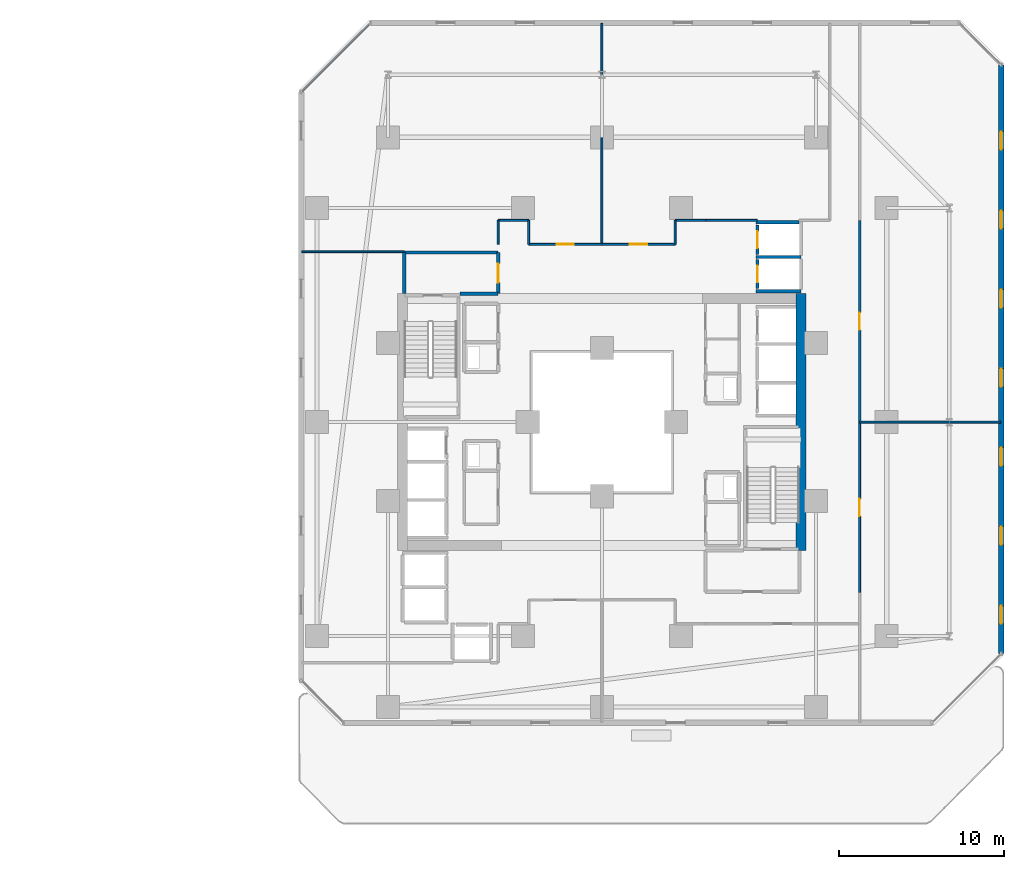
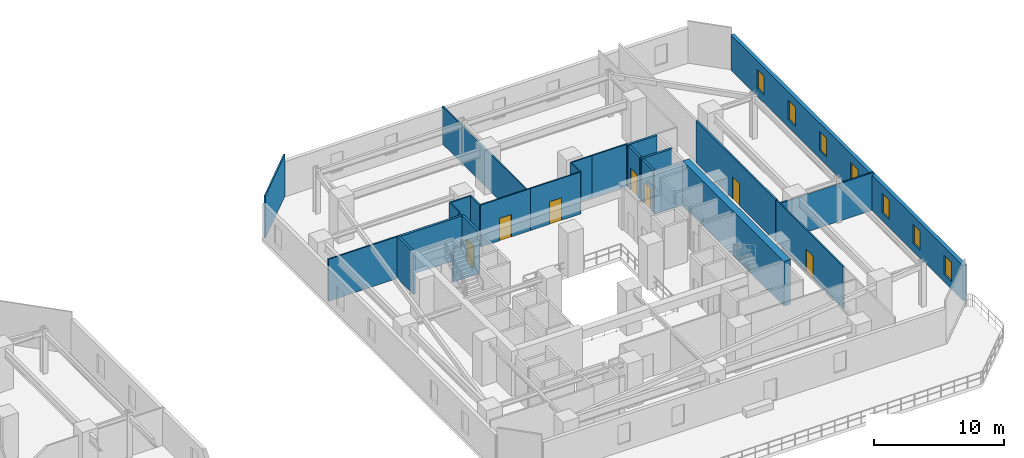
# One storey, part 25 of 33: 25 walls, 7 doors, 7 windows, 14 openings.
"""IFC4 building model written with IfcOpenShell, lengths in metres."""

from ifc_helpers import new_model, si_unit, direction, frame, frame_2d, origin, place, context, subcontext, project, spatial, rectangle, extrude, material, layer, layer_set, type_object, element, fill, save


model = new_model("IFC4")

# Units and contexts
model_context = context("Model", 3, precision=1e-05, world=origin(), true_north=direction((0.0, 1.0)))
body_context = subcontext(model_context, "Body", "Model", "MODEL_VIEW")
ifc_project = project(units=[si_unit("LENGTHUNIT", "METRE"), si_unit("AREAUNIT", "SQUARE_METRE"), si_unit("VOLUMEUNIT", "CUBIC_METRE"), si_unit("PLANEANGLEUNIT", "RADIAN"), si_unit("MASSUNIT", "GRAM", prefix="KILO")], contexts=[model_context])

# Site, building, storey
site_placement = place(None, origin())
site = spatial("IfcSite", under=ifc_project, at=site_placement, CompositionType="ELEMENT")
building_placement = place(site_placement, origin())
building = spatial("IfcBuilding", under=site, at=building_placement, Name="Thornwick Lancets Civic Towers", CompositionType="ELEMENT")
storey_placement = place(building_placement, frame((0.0, 0.0, 49.5)))
storey = spatial("IfcBuildingStorey", under=building, at=storey_placement, Name="L12", CompositionType="ELEMENT", Elevation=49.5)

# Wall, opening, door
ifc_material_1 = material(Name="Concrete blockwork C40/50", Category="masonry")
ifc_layer_1 = layer(ifc_material_1, 0.199951171875, Name="Concrete blockwork C40/50")
ifc_layer_set_1 = layer_set([ifc_layer_1], Name="Concrete blockwork C40/50")
wall_type_1 = type_object("IfcWallType", Name="WALL_COMP_200", PredefinedType="STANDARD", material=ifc_layer_set_1)
wall_1_placement = place(storey_placement, frame((97.949951171875, 36.8701171875, 0.0), z_axis=(0.0, 0.0, 1.0), x_axis=(0.0, -1.0, 0.0)))
wall_1 = element("IfcWall", 1, at=wall_1_placement, inside=storey, type_object=wall_type_1, Name="L12 Hoistway Front Wall PL-BL2", PredefinedType="STANDARD", context=body_context, shape_type="SweptSolid", body=[
    extrude(rectangle(XDim=1.740234375, YDim=0.199951171875, at=frame_2d((0.8701171875, 0.0))), origin(), (0.0, 0.0, 1.0), 3.93994140625),
])
opening_1_placement = place(wall_1_placement, frame((0.360107421875, 0.0, 0.0)))
opening_1 = element("IfcOpeningElement", 2, at=opening_1_placement, cuts=wall_1, Name="Opening LD-PL-BL2", PredefinedType="OPENING", context=body_context, shape_type="SweptSolid", body=[
    extrude(rectangle(XDim=1.02001953125, YDim=2.06005859375, at=frame_2d((0.510009765625, 1.030029296875))), frame((0.0, 0.10986328125, 0.0), z_axis=(0.0, -1.0, 0.0), x_axis=(1.0, 0.0, 0.0)), (0.0, 0.0, 1.0), 0.219970703125),
])
ifc_material_2 = material(Name="Brushed bronze stainless steel", Category="steel")
door_type_1 = type_object("IfcDoorType", Name="DOOR_LIFT_SLIDE", OperationType="SLIDING_TO_LEFT", PredefinedType="DOOR", material=ifc_material_2)
door_1_placement = place(opening_1_placement, origin())
door_1 = element("IfcDoor", 3, at=door_1_placement, inside=storey, type_object=door_type_1, Name="L12 Sliding Lift Landing Door LD-PL-BL2", OperationType="SLIDING_TO_LEFT", OverallHeight=2.06005859375, OverallWidth=1.02001953125, PredefinedType="DOOR", context=body_context, shape_type="SweptSolid", body=[
    extrude(rectangle(XDim=1.02001953125, YDim=2.06005859375, at=frame_2d((0.510009765625, 1.030029296875))), frame((0.0, 0.02490234375, 0.0), z_axis=(0.0, -1.0, 0.0), x_axis=(1.0, 0.0, 0.0)), (0.0, 0.0, 1.0), 0.050048828125),
])
fill(opening_1, door_1)

wall_2_placement = place(storey_placement, frame((97.949951171875, 38.969970703125, 0.0), z_axis=(0.0, 0.0, 1.0), x_axis=(0.0, -1.0, 0.0)))
wall_2 = element("IfcWall", 4, at=wall_2_placement, inside=storey, type_object=wall_type_1, Name="L12 Hoistway Front Wall PL-BL3", PredefinedType="STANDARD", context=body_context, shape_type="SweptSolid", body=[
    extrude(rectangle(XDim=1.7900390625, YDim=0.199951171875, at=frame_2d((0.89501953125, 0.0))), origin(), (0.0, 0.0, 1.0), 3.93994140625),
])
opening_2_placement = place(wall_2_placement, frame((0.385009765625, 0.0, 0.0)))
opening_2 = element("IfcOpeningElement", 5, at=opening_2_placement, cuts=wall_2, Name="Opening LD-PL-BL3", PredefinedType="OPENING", context=body_context, shape_type="SweptSolid", body=[
    extrude(rectangle(XDim=1.02001953125, YDim=2.06005859375, at=frame_2d((0.510009765625, 1.030029296875))), frame((0.0, 0.10986328125, 0.0), z_axis=(0.0, -1.0, 0.0), x_axis=(1.0, 0.0, 0.0)), (0.0, 0.0, 1.0), 0.219970703125),
])
door_2_placement = place(opening_2_placement, origin())
door_2 = element("IfcDoor", 6, at=door_2_placement, inside=storey, type_object=door_type_1, Name="L12 Sliding Lift Landing Door LD-PL-BL3", OperationType="SLIDING_TO_LEFT", OverallHeight=2.06005859375, OverallWidth=1.02001953125, PredefinedType="DOOR", context=body_context, shape_type="SweptSolid", body=[
    extrude(rectangle(XDim=1.02001953125, YDim=2.06005859375, at=frame_2d((0.510009765625, 1.030029296875))), frame((0.0, 0.02490234375, 0.0), z_axis=(0.0, -1.0, 0.0), x_axis=(1.0, 0.0, 0.0)), (0.0, 0.0, 1.0), 0.050048828125),
])
fill(opening_2, door_2)

# Walls
for number, where, z_axis, x_axis, name in (
    (7, (97.85205078125, 37.02490234375, 0.0), (0.0, 0.0, 1.0), (1.0, 0.0, 0.0), "L12 Hoistway Shaft Wall PL-BL2 N"),
    (8, (97.85205078125, 34.949951171875, 0.0), (0.0, 0.0, 1.0), (1.0, 0.0, 0.0), "L12 Hoistway Shaft Wall PL-BL2 S"),
):
    element("IfcWall", number, at=place(storey_placement, frame(where, z_axis=z_axis, x_axis=x_axis)), inside=storey, type_object=wall_type_1, Name=name, PredefinedType="STANDARD", context=body_context, shape_type="SweptSolid", body=[
        extrude(rectangle(XDim=2.745849609375, YDim=0.199951171875, at=frame_2d((1.373046875, 0.0))), origin(), (0.0, 0.0, 1.0), 3.93994140625),
    ])
wall_3_placement = place(storey_placement, frame((97.85205078125, 39.14990234375, 0.0), z_axis=(0.0, 0.0, 1.0), x_axis=(1.0, 0.0, 0.0)))
element("IfcWall", 9, at=wall_3_placement, inside=storey, type_object=wall_type_1, Name="L12 Hoistway Shaft Wall PL-BL3 N", PredefinedType="STANDARD", context=body_context, shape_type="SweptSolid", body=[
    extrude(rectangle(XDim=2.635986328125, YDim=0.199951171875, at=frame_2d((1.31787109375, 0.0))), origin(), (0.0, 0.0, 1.0), 3.93994140625),
])
wall_4_placement = place(storey_placement, frame((79.89990234375, 34.800048828125, 0.0), z_axis=(0.0, 0.0, 1.0), x_axis=(1.0, 0.0, 0.0)))
element("IfcWall", 10, at=wall_4_placement, inside=storey, type_object=wall_type_1, Name="L12 Partition L12-B-FFLOB2 E1", PredefinedType="STANDARD", context=body_context, shape_type="SweptSolid", body=[
    extrude(rectangle(XDim=2.300048828125, YDim=0.199951171875, at=frame_2d((1.14990234375, 0.0))), origin(), (0.0, 0.0, 1.0), 3.14501953125),
])

# Wall, opening, door
wall_5_placement = place(storey_placement, frame((82.199951171875, 34.800048828125, 0.0), z_axis=(0.0, 0.0, 1.0), x_axis=(0.0, 1.0, 0.0)))
wall_5 = element("IfcWall", 11, at=wall_5_placement, inside=storey, type_object=wall_type_1, Name="L12 Partition L12-B-FFLOB2 E2", PredefinedType="STANDARD", context=body_context, shape_type="SweptSolid", body=[
    extrude(rectangle(XDim=2.5, YDim=0.199951171875, at=frame_2d((1.25, 0.0))), origin(), (0.0, 0.0, 1.0), 3.93994140625),
])
opening_3_placement = place(wall_5_placement, frame((0.675048828125, 0.0, 0.0)))
opening_3 = element("IfcOpeningElement", 12, at=opening_3_placement, cuts=wall_5, Name="Opening D-L12-0599", PredefinedType="OPENING", context=body_context, shape_type="SweptSolid", body=[
    extrude(rectangle(XDim=1.14990234375, YDim=2.10009765625, at=frame_2d((0.574951171875, 1.050048828125))), frame((0.0, 0.10986328125, 0.0), z_axis=(0.0, -1.0, 0.0), x_axis=(1.0, 0.0, 0.0)), (0.0, 0.0, 1.0), 0.219970703125),
])
ifc_material_3 = material(Name="Glazed fire-resisting steel", Category="steel")
door_type_2 = type_object("IfcDoorType", Name="DOOR_LOBBY_FD60", OperationType="NOTDEFINED", PredefinedType="DOOR", material=ifc_material_3)
door_3_placement = place(opening_3_placement, origin())
door_3 = element("IfcDoor", 13, at=door_3_placement, inside=storey, type_object=door_type_2, Name="L12 West Firefighting Lobby 2 Door", OperationType="SINGLE_SWING_RIGHT", OverallHeight=2.10009765625, OverallWidth=1.14990234375, PredefinedType="DOOR", context=body_context, shape_type="SweptSolid", body=[
    extrude(rectangle(XDim=1.14990234375, YDim=2.10009765625, at=frame_2d((0.574951171875, 1.050048828125))), frame((0.0, 0.02490234375, 0.0), z_axis=(0.0, -1.0, 0.0), x_axis=(1.0, 0.0, 0.0)), (0.0, 0.0, 1.0), 0.050048828125),
])
fill(opening_3, door_3)

# Walls
wall_6_placement = place(storey_placement, frame((82.199951171875, 37.300048828125, 0.0), z_axis=(0.0, 0.0, 1.0), x_axis=(-1.0, 0.0, 0.0)))
element("IfcWall", 14, at=wall_6_placement, inside=storey, type_object=wall_type_1, Name="L12 Partition L12-B-FFLOB2 E3", PredefinedType="STANDARD", context=body_context, shape_type="SweptSolid", body=[
    extrude(rectangle(XDim=5.699951171875, YDim=0.199951171875, at=frame_2d((2.85009765625, 0.0))), origin(), (0.0, 0.0, 1.0), 3.93994140625),
])
wall_7_placement = place(storey_placement, frame((76.5, 37.300048828125, 0.0), z_axis=(0.0, 0.0, 1.0), x_axis=(0.0, -1.0, 0.0)))
element("IfcWall", 15, at=wall_7_placement, inside=storey, type_object=wall_type_1, Name="L12 Partition L12-B-FFLOB2 E4", PredefinedType="STANDARD", context=body_context, shape_type="SweptSolid", body=[
    extrude(rectangle(XDim=2.5, YDim=0.199951171875, at=frame_2d((1.25, 0.0))), origin(), (0.0, 0.0, 1.0), 3.93994140625),
])
ifc_material_4 = material(Name="Concrete C60/75", Category="concrete")
ifc_layer_2 = layer(ifc_material_4, 0.60009765625, Name="Concrete C60/75")
ifc_layer_set_2 = layer_set([ifc_layer_2], Name="Concrete C60/75")
wall_type_2 = type_object("IfcWallType", Name="WALL_CORE_600", PredefinedType="SHEAR", material=ifc_layer_set_2)
wall_8_placement = place(storey_placement, frame((100.60009765625, 19.199951171875, 0.0), z_axis=(0.0, 0.0, 1.0), x_axis=(0.0, 1.0, 0.0)))
element("IfcWall", 16, at=wall_8_placement, inside=storey, type_object=wall_type_2, Name="L12 Split Core B1 Shear Wall E", PredefinedType="SHEAR", context=body_context, shape_type="SweptSolid", body=[
    extrude(rectangle(XDim=15.60009765625, YDim=0.60009765625, at=frame_2d((7.800048828125, 0.0))), origin(), (0.0, 0.0, 1.0), 4.199951171875),
])

# Wall, openings, windows
ifc_material_5 = material(Name="Insulated buff terracotta rainscreen on concrete C40/50", Category="masonry")
ifc_layer_3 = layer(ifc_material_5, 0.320068359375, Name="Insulated buff terracotta rainscreen on concrete C40/50")
ifc_layer_set_3 = layer_set([ifc_layer_3], Name="Insulated buff terracotta rainscreen on concrete C40/50")
wall_type_3 = type_object("IfcWallType", Name="WALL_EXT_TERRA_320", PredefinedType="STANDARD", material=ifc_layer_set_3)
wall_9_placement = place(storey_placement, frame((112.759521484375, 12.948486328125, 0.0), z_axis=(0.0, 0.0, 1.0), x_axis=(0.000150313265, 0.999999988703, 0.0)))
wall_9 = element("IfcWall", 17, at=wall_9_placement, inside=storey, type_object=wall_type_3, Name="L12 Tower B Terracotta Facade Wall E2", PredefinedType="STANDARD", context=body_context, shape_type="SweptSolid", body=[
    extrude(rectangle(XDim=35.732666015625, YDim=0.320068359375, at=frame_2d((17.8662109375, 0.0))), origin(), (0.0, 0.0, 1.0), 3.300048828125),
])
opening_4_placement = place(wall_9_placement, frame((1.800048828125, 0.0, 0.719970703125)))
opening_4 = element("IfcOpeningElement", 18, at=opening_4_placement, cuts=wall_9, Name="Opening WL-02", PredefinedType="OPENING", context=body_context, shape_type="SweptSolid", body=[
    extrude(rectangle(XDim=1.10009765625, YDim=1.800048828125, at=frame_2d((0.550048828125, 0.89990234375))), frame((0.0, 0.169921875, 0.0), z_axis=(0.0, -1.0, 0.0), x_axis=(1.0, 0.0, 0.0)), (0.0, 0.0, 1.0), 0.340087890625),
])
opening_5_placement = place(wall_9_placement, frame((6.60009765625, 0.0, 0.719970703125)))
opening_5 = element("IfcOpeningElement", 19, at=opening_5_placement, cuts=wall_9, Name="Opening WL-02", PredefinedType="OPENING", context=body_context, shape_type="SweptSolid", body=[
    extrude(rectangle(XDim=1.10009765625, YDim=1.800048828125, at=frame_2d((0.550048828125, 0.89990234375))), frame((0.0, 0.169921875, 0.0), z_axis=(0.0, -1.0, 0.0), x_axis=(1.0, 0.0, 0.0)), (0.0, 0.0, 1.0), 0.340087890625),
])
opening_6_placement = place(wall_9_placement, frame((11.39990234375, 0.0, 0.719970703125)))
opening_6 = element("IfcOpeningElement", 20, at=opening_6_placement, cuts=wall_9, Name="Opening WL-02", PredefinedType="OPENING", context=body_context, shape_type="SweptSolid", body=[
    extrude(rectangle(XDim=1.10009765625, YDim=1.800048828125, at=frame_2d((0.550048828125, 0.89990234375))), frame((0.0, 0.169921875, 0.0), z_axis=(0.0, -1.0, 0.0), x_axis=(1.0, 0.0, 0.0)), (0.0, 0.0, 1.0), 0.340087890625),
])
opening_7_placement = place(wall_9_placement, frame((16.199951171875, 0.0, 0.719970703125)))
opening_7 = element("IfcOpeningElement", 21, at=opening_7_placement, cuts=wall_9, Name="Opening WL-02", PredefinedType="OPENING", context=body_context, shape_type="SweptSolid", body=[
    extrude(rectangle(XDim=1.10009765625, YDim=1.800048828125, at=frame_2d((0.550048828125, 0.89990234375))), frame((0.0, 0.169921875, 0.0), z_axis=(0.0, -1.0, 0.0), x_axis=(1.0, 0.0, 0.0)), (0.0, 0.0, 1.0), 0.340087890625),
])
opening_8_placement = place(wall_9_placement, frame((21.0, 0.0, 0.719970703125)))
opening_8 = element("IfcOpeningElement", 22, at=opening_8_placement, cuts=wall_9, Name="Opening WL-02", PredefinedType="OPENING", context=body_context, shape_type="SweptSolid", body=[
    extrude(rectangle(XDim=1.10009765625, YDim=1.800048828125, at=frame_2d((0.550048828125, 0.89990234375))), frame((0.0, 0.169921875, 0.0), z_axis=(0.0, -1.0, 0.0), x_axis=(1.0, 0.0, 0.0)), (0.0, 0.0, 1.0), 0.340087890625),
])
opening_9_placement = place(wall_9_placement, frame((25.800048828125, 0.0, 0.719970703125)))
opening_9 = element("IfcOpeningElement", 23, at=opening_9_placement, cuts=wall_9, Name="Opening WL-02", PredefinedType="OPENING", context=body_context, shape_type="SweptSolid", body=[
    extrude(rectangle(XDim=1.10009765625, YDim=1.800048828125, at=frame_2d((0.550048828125, 0.89990234375))), frame((0.0, 0.169921875, 0.0), z_axis=(0.0, -1.0, 0.0), x_axis=(1.0, 0.0, 0.0)), (0.0, 0.0, 1.0), 0.340087890625),
])
opening_10_placement = place(wall_9_placement, frame((30.60009765625, 0.0, 0.719970703125)))
opening_10 = element("IfcOpeningElement", 24, at=opening_10_placement, cuts=wall_9, Name="Opening WL-02", PredefinedType="OPENING", context=body_context, shape_type="SweptSolid", body=[
    extrude(rectangle(XDim=1.10009765625, YDim=1.800048828125, at=frame_2d((0.550048828125, 0.89990234375))), frame((0.0, 0.169921875, 0.0), z_axis=(0.0, -1.0, 0.0), x_axis=(1.0, 0.0, 0.0)), (0.0, 0.0, 1.0), 0.340087890625),
])
ifc_material_6 = material(Name="Clear low-e double glazing in bronze frame", Category="glass")
window_type = type_object("IfcWindowType", Name="WIN_LANCET_1100", PartitioningType="SINGLE_PANEL", PredefinedType="WINDOW", material=ifc_material_6)
window_1_placement = place(opening_4_placement, origin())
window_1 = element("IfcWindow", 25, at=window_1_placement, inside=storey, type_object=window_type, Name="L12 Tower B Staggered Lancet Window E2-1", OverallHeight=1.800048828125, OverallWidth=1.10009765625, PartitioningType="SINGLE_PANEL", PredefinedType="WINDOW", context=body_context, shape_type="SweptSolid", body=[
    extrude(rectangle(XDim=1.10009765625, YDim=1.800048828125, at=frame_2d((0.550048828125, 0.89990234375))), frame((0.0, 0.030029296875, 0.0), z_axis=(0.0, -1.0, 0.0), x_axis=(1.0, 0.0, 0.0)), (0.0, 0.0, 1.0), 0.06005859375),
])
fill(opening_4, window_1)
window_2_placement = place(opening_5_placement, origin())
window_2 = element("IfcWindow", 26, at=window_2_placement, inside=storey, type_object=window_type, Name="L12 Tower B Staggered Lancet Window E2-2", OverallHeight=1.800048828125, OverallWidth=1.10009765625, PartitioningType="SINGLE_PANEL", PredefinedType="WINDOW", context=body_context, shape_type="SweptSolid", body=[
    extrude(rectangle(XDim=1.10009765625, YDim=1.800048828125, at=frame_2d((0.550048828125, 0.89990234375))), frame((0.0, 0.030029296875, 0.0), z_axis=(0.0, -1.0, 0.0), x_axis=(1.0, 0.0, 0.0)), (0.0, 0.0, 1.0), 0.06005859375),
])
fill(opening_5, window_2)
window_3_placement = place(opening_6_placement, origin())
window_3 = element("IfcWindow", 27, at=window_3_placement, inside=storey, type_object=window_type, Name="L12 Tower B Staggered Lancet Window E2-3", OverallHeight=1.800048828125, OverallWidth=1.10009765625, PartitioningType="SINGLE_PANEL", PredefinedType="WINDOW", context=body_context, shape_type="SweptSolid", body=[
    extrude(rectangle(XDim=1.10009765625, YDim=1.800048828125, at=frame_2d((0.550048828125, 0.89990234375))), frame((0.0, 0.030029296875, 0.0), z_axis=(0.0, -1.0, 0.0), x_axis=(1.0, 0.0, 0.0)), (0.0, 0.0, 1.0), 0.06005859375),
])
fill(opening_6, window_3)
window_4_placement = place(opening_7_placement, origin())
window_4 = element("IfcWindow", 28, at=window_4_placement, inside=storey, type_object=window_type, Name="L12 Tower B Staggered Lancet Window E2-4", OverallHeight=1.800048828125, OverallWidth=1.10009765625, PartitioningType="SINGLE_PANEL", PredefinedType="WINDOW", context=body_context, shape_type="SweptSolid", body=[
    extrude(rectangle(XDim=1.10009765625, YDim=1.800048828125, at=frame_2d((0.550048828125, 0.89990234375))), frame((0.0, 0.030029296875, 0.0), z_axis=(0.0, -1.0, 0.0), x_axis=(1.0, 0.0, 0.0)), (0.0, 0.0, 1.0), 0.06005859375),
])
fill(opening_7, window_4)
window_5_placement = place(opening_8_placement, origin())
window_5 = element("IfcWindow", 29, at=window_5_placement, inside=storey, type_object=window_type, Name="L12 Tower B Staggered Lancet Window E2-5", OverallHeight=1.800048828125, OverallWidth=1.10009765625, PartitioningType="SINGLE_PANEL", PredefinedType="WINDOW", context=body_context, shape_type="SweptSolid", body=[
    extrude(rectangle(XDim=1.10009765625, YDim=1.800048828125, at=frame_2d((0.550048828125, 0.89990234375))), frame((0.0, 0.030029296875, 0.0), z_axis=(0.0, -1.0, 0.0), x_axis=(1.0, 0.0, 0.0)), (0.0, 0.0, 1.0), 0.06005859375),
])
fill(opening_8, window_5)
window_6_placement = place(opening_9_placement, origin())
window_6 = element("IfcWindow", 30, at=window_6_placement, inside=storey, type_object=window_type, Name="L12 Tower B Staggered Lancet Window E2-6", OverallHeight=1.800048828125, OverallWidth=1.10009765625, PartitioningType="SINGLE_PANEL", PredefinedType="WINDOW", context=body_context, shape_type="SweptSolid", body=[
    extrude(rectangle(XDim=1.10009765625, YDim=1.800048828125, at=frame_2d((0.550048828125, 0.89990234375))), frame((0.0, 0.030029296875, 0.0), z_axis=(0.0, -1.0, 0.0), x_axis=(1.0, 0.0, 0.0)), (0.0, 0.0, 1.0), 0.06005859375),
])
fill(opening_9, window_6)
window_7_placement = place(opening_10_placement, origin())
window_7 = element("IfcWindow", 31, at=window_7_placement, inside=storey, type_object=window_type, Name="L12 Tower B Staggered Lancet Window E2-7", OverallHeight=1.800048828125, OverallWidth=1.10009765625, PartitioningType="SINGLE_PANEL", PredefinedType="WINDOW", context=body_context, shape_type="SweptSolid", body=[
    extrude(rectangle(XDim=1.10009765625, YDim=1.800048828125, at=frame_2d((0.550048828125, 0.89990234375))), frame((0.0, 0.030029296875, 0.0), z_axis=(0.0, -1.0, 0.0), x_axis=(1.0, 0.0, 0.0)), (0.0, 0.0, 1.0), 0.06005859375),
])
fill(opening_10, window_7)

# Walls
ifc_material_7 = material(Name="Acoustic gypsum board partition")
ifc_layer_4 = layer(ifc_material_7, 0.1201171875, Name="Acoustic gypsum board partition")
ifc_layer_set_4 = layer_set([ifc_layer_4], Name="Acoustic gypsum board partition")
wall_type_4 = type_object("IfcWallType", Name="WALL_PART_120", PredefinedType="PARTITIONING", material=ifc_layer_set_4)
wall_10_placement = place(storey_placement, frame((97.949951171875, 39.25, 0.0), z_axis=(0.0, 0.0, 1.0), x_axis=(-1.0, 0.0, 0.0)))
element("IfcWall", 32, at=wall_10_placement, inside=storey, type_object=wall_type_4, Name="L12 Partition L12-B-E1 E1", PredefinedType="PARTITIONING", context=body_context, shape_type="SweptSolid", body=[
    extrude(rectangle(XDim=3.14990234375, YDim=0.1201171875, at=frame_2d((1.574951171875, 0.0))), origin(), (0.0, 0.0, 1.0), 3.93994140625),
])
wall_11_placement = place(storey_placement, frame((94.800048828125, 39.25, 0.0), z_axis=(0.0, 0.0, 1.0), x_axis=(-1.0, 0.0, 0.0)))
element("IfcWall", 33, at=wall_11_placement, inside=storey, type_object=wall_type_4, Name="L12 Partition L12-B-E1 E2", PredefinedType="PARTITIONING", context=body_context, shape_type="SweptSolid", body=[
    extrude(rectangle(XDim=1.85009765625, YDim=0.1201171875, at=frame_2d((0.925048828125, 0.0))), origin(), (0.0, 0.0, 1.0), 3.93994140625),
])
wall_12_placement = place(storey_placement, frame((92.949951171875, 39.25, 0.0), z_axis=(0.0, 0.0, 1.0), x_axis=(0.0, -1.0, 0.0)))
element("IfcWall", 34, at=wall_12_placement, inside=storey, type_object=wall_type_4, Name="L12 Partition L12-B-E1 E3", PredefinedType="PARTITIONING", context=body_context, shape_type="SweptSolid", body=[
    extrude(rectangle(XDim=1.449951171875, YDim=0.1201171875, at=frame_2d((0.72509765625, 0.0))), origin(), (0.0, 0.0, 1.0), 3.93994140625),
])

# Wall, opening, door
wall_13_placement = place(storey_placement, frame((92.949951171875, 37.800048828125, 0.0), z_axis=(0.0, 0.0, 1.0), x_axis=(-1.0, 0.0, 0.0)))
wall_13 = element("IfcWall", 35, at=wall_13_placement, inside=storey, type_object=wall_type_4, Name="L12 Partition L12-B-E1 E4", PredefinedType="PARTITIONING", context=body_context, shape_type="SweptSolid", body=[
    extrude(rectangle(XDim=4.449951171875, YDim=0.1201171875, at=frame_2d((2.22509765625, 0.0))), origin(), (0.0, 0.0, 1.0), 3.93994140625),
])
opening_11_placement = place(wall_13_placement, frame((1.699951171875, 0.0, 0.0)))
opening_11 = element("IfcOpeningElement", 36, at=opening_11_placement, cuts=wall_13, Name="Opening D-L12-0617", PredefinedType="OPENING", context=body_context, shape_type="SweptSolid", body=[
    extrude(rectangle(XDim=1.050048828125, YDim=2.10009765625, at=frame_2d((0.52490234375, 1.050048828125))), frame((0.0, 0.070068359375, 0.0), z_axis=(0.0, -1.0, 0.0), x_axis=(1.0, 0.0, 0.0)), (0.0, 0.0, 1.0), 0.14013671875),
])
ifc_material_8 = material(Name="Glazed European oak executive doorset")
door_type_3 = type_object("IfcDoorType", Name="DOOR_OFFICE_1050", OperationType="NOTDEFINED", PredefinedType="DOOR", material=ifc_material_8)
door_4_placement = place(opening_11_placement, origin())
door_4 = element("IfcDoor", 37, at=door_4_placement, inside=storey, type_object=door_type_3, Name="L12 Tower B Secretariat Open Office E1 Door", OperationType="SINGLE_SWING_RIGHT", OverallHeight=2.10009765625, OverallWidth=1.050048828125, PredefinedType="DOOR", context=body_context, shape_type="SweptSolid", body=[
    extrude(rectangle(XDim=1.050048828125, YDim=2.10009765625, at=frame_2d((0.52490234375, 1.050048828125))), frame((0.0, 0.02490234375, 0.0), z_axis=(0.0, -1.0, 0.0), x_axis=(1.0, 0.0, 0.0)), (0.0, 0.0, 1.0), 0.050048828125),
])
fill(opening_11, door_4)

# Walls
wall_14_placement = place(storey_placement, frame((88.5, 37.800048828125, 0.0), z_axis=(0.0, 0.0, 1.0), x_axis=(0.0, 1.0, 0.0)))
element("IfcWall", 38, at=wall_14_placement, inside=storey, type_object=wall_type_4, Name="L12 Partition L12-B-E1 E5", PredefinedType="PARTITIONING", context=body_context, shape_type="SweptSolid", body=[
    extrude(rectangle(XDim=13.419921875, YDim=0.1201171875, at=frame_2d((6.7099609375, 0.0))), origin(), (0.0, 0.0, 1.0), 3.5322265625),
])
wall_15_placement = place(storey_placement, frame((84.050048828125, 37.800048828125, 0.0), z_axis=(0.0, 0.0, 1.0), x_axis=(0.0, 1.0, 0.0)))
element("IfcWall", 39, at=wall_15_placement, inside=storey, type_object=wall_type_4, Name="L12 Partition L12-B-E2 E1", PredefinedType="PARTITIONING", context=body_context, shape_type="SweptSolid", body=[
    extrude(rectangle(XDim=1.449951171875, YDim=0.1201171875, at=frame_2d((0.72509765625, 0.0))), origin(), (0.0, 0.0, 1.0), 3.93994140625),
])
wall_16_placement = place(storey_placement, frame((84.050048828125, 39.25, 0.0), z_axis=(0.0, 0.0, 1.0), x_axis=(-1.0, 0.0, 0.0)))
element("IfcWall", 40, at=wall_16_placement, inside=storey, type_object=wall_type_4, Name="L12 Partition L12-B-E2 E2", PredefinedType="PARTITIONING", context=body_context, shape_type="SweptSolid", body=[
    extrude(rectangle(XDim=1.85009765625, YDim=0.1201171875, at=frame_2d((0.925048828125, 0.0))), origin(), (0.0, 0.0, 1.0), 3.93994140625),
])
wall_17_placement = place(storey_placement, frame((82.199951171875, 39.25, 0.0), z_axis=(0.0, 0.0, 1.0), x_axis=(0.0, -1.0, 0.0)))
element("IfcWall", 41, at=wall_17_placement, inside=storey, type_object=wall_type_4, Name="L12 Partition L12-B-E2 E3", PredefinedType="PARTITIONING", context=body_context, shape_type="SweptSolid", body=[
    extrude(rectangle(XDim=1.449951171875, YDim=0.1201171875, at=frame_2d((0.72509765625, 0.0))), origin(), (0.0, 0.0, 1.0), 3.93994140625),
])
wall_18_placement = place(storey_placement, frame((76.5, 37.35009765625, 0.0), z_axis=(0.0, 0.0, 1.0), x_axis=(-1.0, 0.0, 0.0)))
element("IfcWall", 42, at=wall_18_placement, inside=storey, type_object=wall_type_4, Name="L12 Partition L12-B-E2 E5", PredefinedType="PARTITIONING", context=body_context, shape_type="SweptSolid", body=[
    extrude(rectangle(XDim=6.219970703125, YDim=0.1201171875, at=frame_2d((3.10986328125, 0.0))), origin(), (0.0, 0.0, 1.0), 3.93994140625),
])
wall_19_placement = place(storey_placement, frame((70.280029296875, 47.08935546875, 0.0), z_axis=(0.0, 0.0, 1.0), x_axis=(0.707106781187, 0.707106781187, 0.0)))
element("IfcWall", 43, at=wall_19_placement, inside=storey, type_object=wall_type_4, Name="L12 Partition L12-B-E2 E7", PredefinedType="PARTITIONING", context=body_context, shape_type="SweptSolid", body=[
    extrude(rectangle(XDim=5.841552734375, YDim=0.1201171875, at=frame_2d((2.9208984375, 0.0))), origin(), (0.0, 0.0, 1.0), 3.93994140625),
])

# Wall, opening, door
wall_20_placement = place(storey_placement, frame((88.5, 37.800048828125, 0.0), z_axis=(0.0, 0.0, 1.0), x_axis=(-1.0, 0.0, 0.0)))
wall_20 = element("IfcWall", 44, at=wall_20_placement, inside=storey, type_object=wall_type_4, Name="L12 Partition L12-B-E2 E10", PredefinedType="PARTITIONING", context=body_context, shape_type="SweptSolid", body=[
    extrude(rectangle(XDim=4.449951171875, YDim=0.1201171875, at=frame_2d((2.22509765625, 0.0))), origin(), (0.0, 0.0, 1.0), 3.93994140625),
])
opening_12_placement = place(wall_20_placement, frame((1.699951171875, 0.0, 0.0)))
opening_12 = element("IfcOpeningElement", 45, at=opening_12_placement, cuts=wall_20, Name="Opening D-L12-0618", PredefinedType="OPENING", context=body_context, shape_type="SweptSolid", body=[
    extrude(rectangle(XDim=1.050048828125, YDim=2.10009765625, at=frame_2d((0.52490234375, 1.050048828125))), frame((0.0, 0.070068359375, 0.0), z_axis=(0.0, -1.0, 0.0), x_axis=(1.0, 0.0, 0.0)), (0.0, 0.0, 1.0), 0.14013671875),
])
door_5_placement = place(opening_12_placement, origin())
door_5 = element("IfcDoor", 46, at=door_5_placement, inside=storey, type_object=door_type_3, Name="L12 Tower B Visitors Reception and Waiting Door", OperationType="SINGLE_SWING_LEFT", OverallHeight=2.10009765625, OverallWidth=1.050048828125, PredefinedType="DOOR", context=body_context, shape_type="SweptSolid", body=[
    extrude(rectangle(XDim=1.050048828125, YDim=2.10009765625, at=frame_2d((0.52490234375, 1.050048828125))), frame((0.0, 0.02490234375, 0.0), z_axis=(0.0, -1.0, 0.0), x_axis=(1.0, 0.0, 0.0)), (0.0, 0.0, 1.0), 0.050048828125),
])
fill(opening_12, door_5)

wall_21_placement = place(storey_placement, frame((104.14990234375, 16.64990234375, 0.0), z_axis=(0.0, 0.0, 1.0), x_axis=(0.0, 1.0, 0.0)))
wall_21 = element("IfcWall", 47, at=wall_21_placement, inside=storey, type_object=wall_type_4, Name="L12 Partition L12-B-S-OFF E4", PredefinedType="PARTITIONING", context=body_context, shape_type="SweptSolid", body=[
    extrude(rectangle(XDim=10.35009765625, YDim=0.1201171875, at=frame_2d((5.175048828125, 0.0))), origin(), (0.0, 0.0, 1.0), 3.93994140625),
])
opening_13_placement = place(wall_21_placement, frame((4.64990234375, 0.0, 0.0)))
opening_13 = element("IfcOpeningElement", 48, at=opening_13_placement, cuts=wall_21, Name="Opening D-L12-0619", PredefinedType="OPENING", context=body_context, shape_type="SweptSolid", body=[
    extrude(rectangle(XDim=1.050048828125, YDim=2.10009765625, at=frame_2d((0.52490234375, 1.050048828125))), frame((0.0, 0.070068359375, 0.0), z_axis=(0.0, -1.0, 0.0), x_axis=(1.0, 0.0, 0.0)), (0.0, 0.0, 1.0), 0.14013671875),
])
door_6_placement = place(opening_13_placement, origin())
door_6 = element("IfcDoor", 49, at=door_6_placement, inside=storey, type_object=door_type_3, Name="L12 Tower B South Division Office Door", OperationType="SINGLE_SWING_RIGHT", OverallHeight=2.10009765625, OverallWidth=1.050048828125, PredefinedType="DOOR", context=body_context, shape_type="SweptSolid", body=[
    extrude(rectangle(XDim=1.050048828125, YDim=2.10009765625, at=frame_2d((0.52490234375, 1.050048828125))), frame((0.0, 0.02490234375, 0.0), z_axis=(0.0, -1.0, 0.0), x_axis=(1.0, 0.0, 0.0)), (0.0, 0.0, 1.0), 0.050048828125),
])
fill(opening_13, door_6)

# Wall
wall_22_placement = place(storey_placement, frame((104.14990234375, 27.0, 0.0), z_axis=(0.0, 0.0, 1.0), x_axis=(1.0, 0.0, 0.0)))
element("IfcWall", 50, at=wall_22_placement, inside=storey, type_object=wall_type_4, Name="L12 Partition L12-B-S-OFF E5", PredefinedType="PARTITIONING", context=body_context, shape_type="SweptSolid", body=[
    extrude(rectangle(XDim=8.570068359375, YDim=0.1201171875, at=frame_2d((4.28515625, 0.0))), origin(), (0.0, 0.0, 1.0), 3.5322265625),
])

# Wall, opening, door
ifc_material_9 = material(Name="Twin-stud acoustic gypsum board")
ifc_layer_5 = layer(ifc_material_9, 0.14990234375, Name="Twin-stud acoustic gypsum board")
ifc_layer_set_5 = layer_set([ifc_layer_5], Name="Twin-stud acoustic gypsum board")
wall_type_5 = type_object("IfcWallType", Name="WALL_PART_150", PredefinedType="PARTITIONING", material=ifc_layer_set_5)
wall_23_placement = place(storey_placement, frame((104.14990234375, 27.0, 0.0), z_axis=(0.0, 0.0, 1.0), x_axis=(0.0, 1.0, 0.0)))
wall_23 = element("IfcWall", 51, at=wall_23_placement, inside=storey, type_object=wall_type_5, Name="L12 Partition L12-B-S-ARCH E1", PredefinedType="PARTITIONING", context=body_context, shape_type="SweptSolid", body=[
    extrude(rectangle(XDim=12.25, YDim=0.14990234375, at=frame_2d((6.125, 0.0))), origin(), (0.0, 0.0, 1.0), 3.93994140625),
])
opening_14_placement = place(wall_23_placement, frame((5.60009765625, 0.0, 0.0)))
opening_14 = element("IfcOpeningElement", 52, at=opening_14_placement, cuts=wall_23, Name="Opening D-L12-0620", PredefinedType="OPENING", context=body_context, shape_type="SweptSolid", body=[
    extrude(rectangle(XDim=1.050048828125, YDim=2.10009765625, at=frame_2d((0.52490234375, 1.050048828125))), frame((0.0, 0.0849609375, 0.0), z_axis=(0.0, -1.0, 0.0), x_axis=(1.0, 0.0, 0.0)), (0.0, 0.0, 1.0), 0.169921875),
])
door_7_placement = place(opening_14_placement, origin())
door_7 = element("IfcDoor", 53, at=door_7_placement, inside=storey, type_object=door_type_3, Name="L12 Tower B Registry and Records Archive Door", OperationType="SINGLE_SWING_LEFT", OverallHeight=2.10009765625, OverallWidth=1.050048828125, PredefinedType="DOOR", context=body_context, shape_type="SweptSolid", body=[
    extrude(rectangle(XDim=1.050048828125, YDim=2.10009765625, at=frame_2d((0.52490234375, 1.050048828125))), frame((0.0, 0.02490234375, 0.0), z_axis=(0.0, -1.0, 0.0), x_axis=(1.0, 0.0, 0.0)), (0.0, 0.0, 1.0), 0.050048828125),
])
fill(opening_14, door_7)

save(model, "model.ifc")
